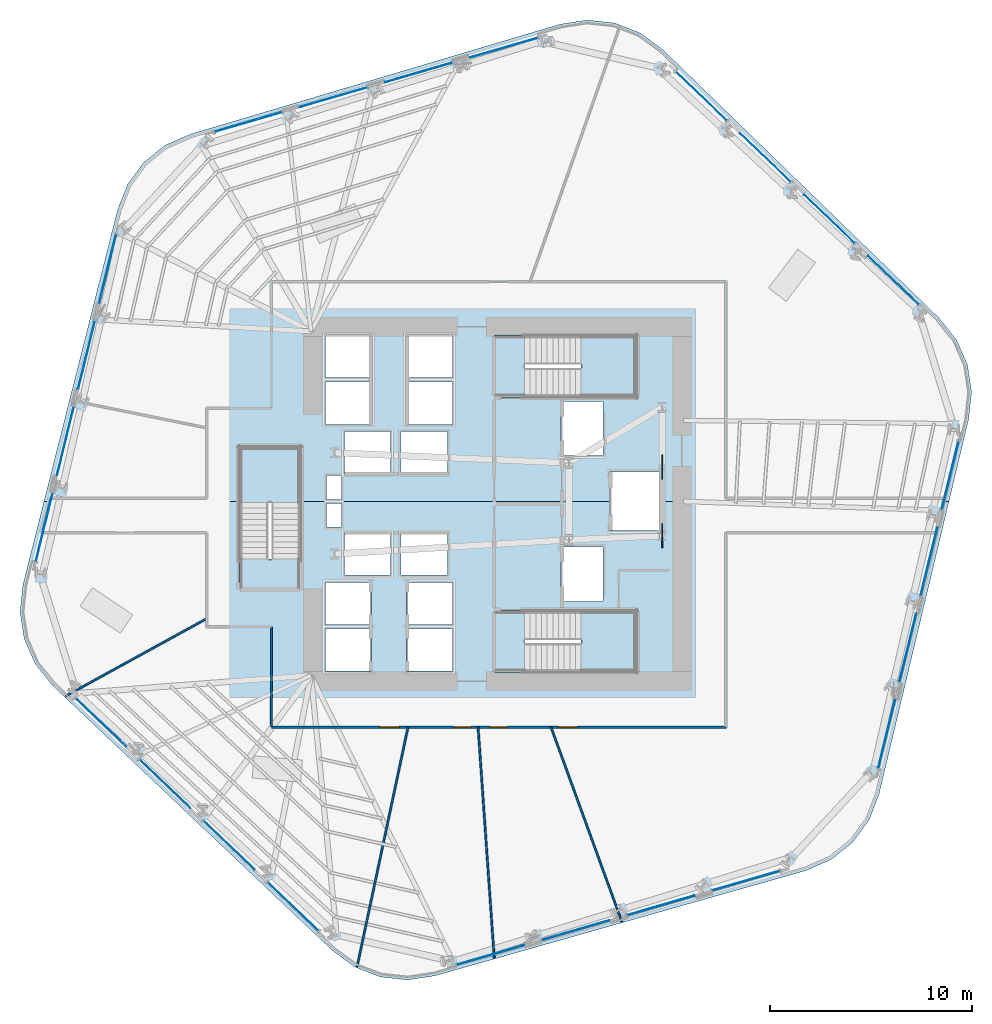
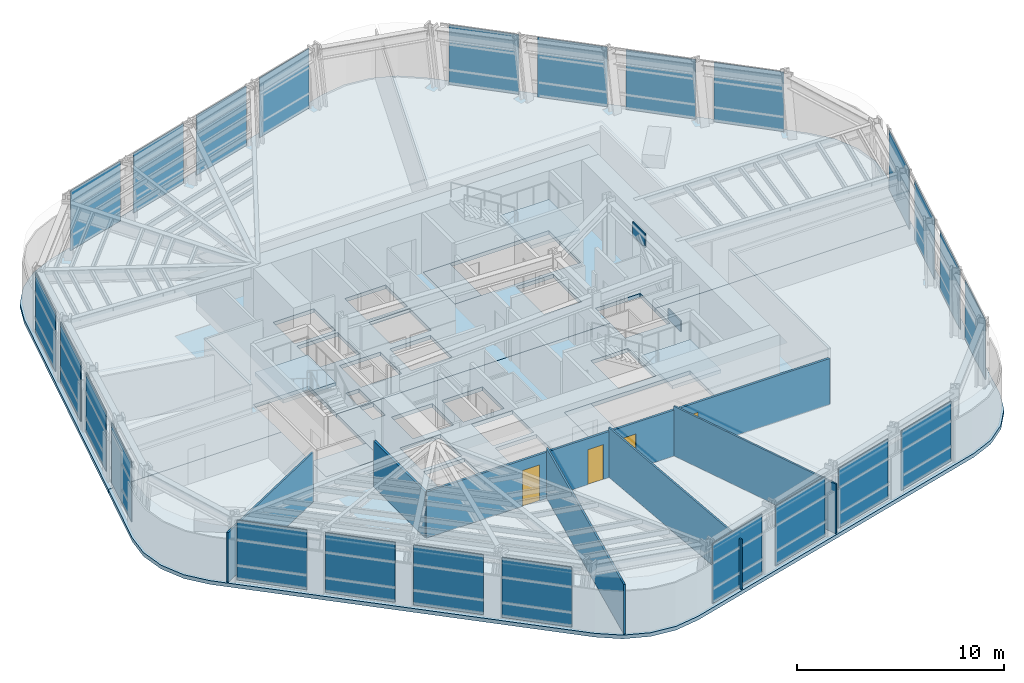
# One storey, part 7 of 15: 26 plates, 8 slabs, 6 walls, 4 doors, 4 openings, 9 elements without a shape of their own.
"""IFC4 building model written with IfcOpenShell, lengths in metres."""

from ifc_helpers import new_model, si_unit, direction, frame, frame_2d, origin, origin_2d, place, context, subcontext, project, spatial, polyline, rectangle, outline, extrude, material, layer, layer_set, type_object, element, fill, aggregate, save


model = new_model("IFC4")

# Units and contexts
model_context = context("Model", 3, precision=1e-05, world=origin(), true_north=direction((0.0, 1.0)))
body_context = subcontext(model_context, "Body", "Model", "MODEL_VIEW")
ifc_project = project(units=[si_unit("LENGTHUNIT", "METRE"), si_unit("AREAUNIT", "SQUARE_METRE"), si_unit("VOLUMEUNIT", "CUBIC_METRE"), si_unit("PLANEANGLEUNIT", "RADIAN"), si_unit("MASSUNIT", "GRAM", prefix="KILO")], contexts=[model_context])

# Site, building, storey
site_placement = place(None, origin())
site = spatial("IfcSite", under=ifc_project, at=site_placement, CompositionType="ELEMENT")
building_placement = place(site_placement, origin())
building = spatial("IfcBuilding", under=site, at=building_placement, Name="Valkerne Bourse Tower", CompositionType="ELEMENT")
storey_placement = place(building_placement, frame((0.0, 0.0, 93.39990234375)))
storey = spatial("IfcBuildingStorey", under=building, at=storey_placement, Name="L23", CompositionType="ELEMENT", Elevation=93.39990234375)

# Curtain wall, plates
ifc_material_1 = material(Name="Aluminium AA 6063-T6", Category="aluminium")
ifc_layer_1 = layer(ifc_material_1, 0.22998046875)
ifc_layer_set_1 = layer_set([ifc_layer_1], Name="Aluminium AA 6063-T6")
curtain_wall_type = type_object("IfcCurtainWallType", Name="CW-02", PredefinedType="NOTDEFINED", material=ifc_layer_set_1)
curtain_wall_1_placement = place(storey_placement, origin())
curtain_wall_1 = element("IfcCurtainWall", 1, at=curtain_wall_1_placement, inside=storey, type_object=curtain_wall_type, Name="L23 Hexagonal Stick Curtain Wall Face 1", PredefinedType="NOTDEFINED")
ifc_material_2 = material(Name="Glass IGU Low-E Double Glazed", Category="glass")
ifc_layer_2 = layer(ifc_material_2, 0.031982421875)
ifc_layer_set_2 = layer_set([ifc_layer_2], Name="Glass IGU Low-E Double Glazed")
plate_type_1 = type_object("IfcPlateType", Name="CW-PNL-IGU-32", PredefinedType="CURTAIN_PANEL", material=ifc_layer_set_2)
plate_1_placement = place(storey_placement, frame((66.376220703125, 37.9150390625, 0.030029296875), z_axis=(0.0, 0.0, 1.0), x_axis=(-0.721758795279, 0.692144667997, 0.0)))
plate_1 = element("IfcPlate", 2, at=plate_1_placement, type_object=plate_type_1, Name="CW-L23-F1 Curtain Panel 00", PredefinedType="CURTAIN_PANEL", context=body_context, shape_type="SweptSolid", body=[
    extrude(rectangle(XDim=3.462890625, YDim=0.031982421875, at=origin_2d()), origin(), (0.0, 0.0, 1.0), 3.52001953125),
])
plate_2_placement = place(storey_placement, frame((63.212890625, 40.948974609375, 0.030029296875), z_axis=(0.0, 0.0, 1.0), x_axis=(-0.721758795279, 0.692144667997, 0.0)))
plate_2 = element("IfcPlate", 3, at=plate_2_placement, type_object=plate_type_1, Name="CW-L23-F1 Curtain Panel 01", PredefinedType="CURTAIN_PANEL", context=body_context, shape_type="SweptSolid", body=[
    extrude(rectangle(XDim=3.462890625, YDim=0.031982421875, at=origin_2d()), origin(), (0.0, 0.0, 1.0), 3.52001953125),
])
plate_3_placement = place(storey_placement, frame((60.04931640625, 43.982421875, 0.030029296875), z_axis=(0.0, 0.0, 1.0), x_axis=(-0.72177019295, 0.69213278247, 0.0)))
plate_3 = element("IfcPlate", 4, at=plate_3_placement, type_object=plate_type_1, Name="CW-L23-F1 Curtain Panel 02", PredefinedType="CURTAIN_PANEL", context=body_context, shape_type="SweptSolid", body=[
    extrude(rectangle(XDim=3.462890625, YDim=0.031982421875, at=origin_2d()), origin(), (0.0, 0.0, 1.0), 3.52001953125),
])
plate_4_placement = place(storey_placement, frame((56.885986328125, 47.01611328125, 0.030029296875), z_axis=(0.0, 0.0, 1.0), x_axis=(-0.721747865057, 0.6921560657, 0.0)))
plate_4 = element("IfcPlate", 5, at=plate_4_placement, type_object=plate_type_1, Name="CW-L23-F1 Curtain Panel 03", PredefinedType="CURTAIN_PANEL", context=body_context, shape_type="SweptSolid", body=[
    extrude(rectangle(XDim=3.462890625, YDim=0.031982421875, at=origin_2d()), origin(), (0.0, 0.0, 1.0), 3.52001953125),
])
aggregate(curtain_wall_1, [plate_1, plate_2, plate_3, plate_4])

curtain_wall_2_placement = place(storey_placement, origin())
curtain_wall_2 = element("IfcCurtainWall", 6, at=curtain_wall_2_placement, inside=storey, type_object=curtain_wall_type, Name="L23 Hexagonal Stick Curtain Wall Face 2", PredefinedType="NOTDEFINED")
plate_5_placement = place(storey_placement, frame((47.13525390625, 49.4111328125, 0.030029296875), z_axis=(0.0, 0.0, 1.0), x_axis=(-0.960293593209, -0.278991424317, 0.0)))
plate_5 = element("IfcPlate", 7, at=plate_5_placement, type_object=plate_type_1, Name="CW-L23-F2 Curtain Panel 00", PredefinedType="CURTAIN_PANEL", context=body_context, shape_type="SweptSolid", body=[
    extrude(rectangle(XDim=3.462890625, YDim=0.031982421875, at=origin_2d()), origin(), (0.0, 0.0, 1.0), 3.52001953125),
])
plate_6_placement = place(storey_placement, frame((42.92626953125, 48.188232421875, 0.030029296875), z_axis=(0.0, 0.0, 1.0), x_axis=(-0.960295369044, -0.278985311785, 0.0)))
plate_6 = element("IfcPlate", 8, at=plate_6_placement, type_object=plate_type_1, Name="CW-L23-F2 Curtain Panel 01", PredefinedType="CURTAIN_PANEL", context=body_context, shape_type="SweptSolid", body=[
    extrude(rectangle(XDim=3.462890625, YDim=0.031982421875, at=origin_2d()), origin(), (0.0, 0.0, 1.0), 3.52001953125),
])
plate_7_placement = place(storey_placement, frame((38.71728515625, 46.965576171875, 0.030029296875), z_axis=(0.0, 0.0, 1.0), x_axis=(-0.960295369044, -0.278985311785, 0.0)))
plate_7 = element("IfcPlate", 9, at=plate_7_placement, type_object=plate_type_1, Name="CW-L23-F2 Curtain Panel 02", PredefinedType="CURTAIN_PANEL", context=body_context, shape_type="SweptSolid", body=[
    extrude(rectangle(XDim=3.462890625, YDim=0.031982421875, at=origin_2d()), origin(), (0.0, 0.0, 1.0), 3.52001953125),
])
plate_8_placement = place(storey_placement, frame((34.50830078125, 45.74267578125, 0.030029296875), z_axis=(0.0, 0.0, 1.0), x_axis=(-0.960293593209, -0.278991424317, 0.0)))
plate_8 = element("IfcPlate", 10, at=plate_8_placement, type_object=plate_type_1, Name="CW-L23-F2 Curtain Panel 03", PredefinedType="CURTAIN_PANEL", context=body_context, shape_type="SweptSolid", body=[
    extrude(rectangle(XDim=3.462890625, YDim=0.031982421875, at=origin_2d()), origin(), (0.0, 0.0, 1.0), 3.52001953125),
])
aggregate(curtain_wall_2, [plate_5, plate_6, plate_7, plate_8])

curtain_wall_3_placement = place(storey_placement, origin())
curtain_wall_3 = element("IfcCurtainWall", 11, at=curtain_wall_3_placement, inside=storey, type_object=curtain_wall_type, Name="L23 Hexagonal Stick Curtain Wall Face 3", PredefinedType="NOTDEFINED")
plate_9_placement = place(storey_placement, frame((27.55908203125, 38.495849609375, 0.030029296875), z_axis=(0.0, 0.0, 1.0), x_axis=(-0.238534172678, -0.971134104264, 0.0)))
plate_9 = element("IfcPlate", 12, at=plate_9_placement, type_object=plate_type_1, Name="CW-L23-F3 Curtain Panel 00", PredefinedType="CURTAIN_PANEL", context=body_context, shape_type="SweptSolid", body=[
    extrude(rectangle(XDim=3.462890625, YDim=0.031982421875, at=origin_2d()), origin(), (0.0, 0.0, 1.0), 3.52001953125),
])
plate_10_placement = place(storey_placement, frame((26.513671875, 34.239501953125, 0.030029296875), z_axis=(0.0, 0.0, 1.0), x_axis=(-0.238534172678, -0.971134104264, 0.0)))
plate_10 = element("IfcPlate", 13, at=plate_10_placement, type_object=plate_type_1, Name="CW-L23-F3 Curtain Panel 01", PredefinedType="CURTAIN_PANEL", context=body_context, shape_type="SweptSolid", body=[
    extrude(rectangle(XDim=3.462890625, YDim=0.031982421875, at=origin_2d()), origin(), (0.0, 0.0, 1.0), 3.52001953125),
])
plate_11_placement = place(storey_placement, frame((25.468017578125, 29.98291015625, 0.030029296875), z_axis=(0.0, 0.0, 1.0), x_axis=(-0.238534172678, -0.971134104264, 0.0)))
plate_11 = element("IfcPlate", 14, at=plate_11_placement, type_object=plate_type_1, Name="CW-L23-F3 Curtain Panel 02", PredefinedType="CURTAIN_PANEL", context=body_context, shape_type="SweptSolid", body=[
    extrude(rectangle(XDim=3.462890625, YDim=0.031982421875, at=origin_2d()), origin(), (0.0, 0.0, 1.0), 3.52001953125),
])
plate_12_placement = place(storey_placement, frame((24.422607421875, 25.7265625, 0.030029296875), z_axis=(0.0, 0.0, 1.0), x_axis=(-0.238539457931, -0.971132806062, 0.0)))
plate_12 = element("IfcPlate", 15, at=plate_12_placement, type_object=plate_type_1, Name="CW-L23-F3 Curtain Panel 03", PredefinedType="CURTAIN_PANEL", context=body_context, shape_type="SweptSolid", body=[
    extrude(rectangle(XDim=3.462890625, YDim=0.031982421875, at=origin_2d()), origin(), (0.0, 0.0, 1.0), 3.52001953125),
])
aggregate(curtain_wall_3, [plate_9, plate_10, plate_11, plate_12])

curtain_wall_4_placement = place(storey_placement, origin())
curtain_wall_4 = element("IfcCurtainWall", 16, at=curtain_wall_4_placement, inside=storey, type_object=curtain_wall_type, Name="L23 Hexagonal Stick Curtain Wall Face 4", PredefinedType="NOTDEFINED")
plate_13_placement = place(storey_placement, frame((27.2236328125, 16.084716796875, 0.030029296875), z_axis=(0.0, 0.0, 1.0), x_axis=(0.721758795279, -0.692144667997, 0.0)))
plate_13 = element("IfcPlate", 17, at=plate_13_placement, type_object=plate_type_1, Name="CW-L23-F4 Curtain Panel 00", PredefinedType="CURTAIN_PANEL", context=body_context, shape_type="SweptSolid", body=[
    extrude(rectangle(XDim=3.462890625, YDim=0.031982421875, at=origin_2d()), origin(), (0.0, 0.0, 1.0), 3.52001953125),
])
plate_14_placement = place(storey_placement, frame((30.38720703125, 13.051025390625, 0.030029296875), z_axis=(0.0, 0.0, 1.0), x_axis=(0.721758795279, -0.692144667997, 0.0)))
plate_14 = element("IfcPlate", 18, at=plate_14_placement, type_object=plate_type_1, Name="CW-L23-F4 Curtain Panel 01", PredefinedType="CURTAIN_PANEL", context=body_context, shape_type="SweptSolid", body=[
    extrude(rectangle(XDim=3.462890625, YDim=0.031982421875, at=origin_2d()), origin(), (0.0, 0.0, 1.0), 3.52001953125),
])
plate_15_placement = place(storey_placement, frame((33.55078125, 10.017578125, 0.030029296875), z_axis=(0.0, 0.0, 1.0), x_axis=(0.72177019295, -0.69213278247, 0.0)))
plate_15 = element("IfcPlate", 19, at=plate_15_placement, type_object=plate_type_1, Name="CW-L23-F4 Curtain Panel 02", PredefinedType="CURTAIN_PANEL", context=body_context, shape_type="SweptSolid", body=[
    extrude(rectangle(XDim=3.462890625, YDim=0.031982421875, at=origin_2d()), origin(), (0.0, 0.0, 1.0), 3.52001953125),
])
plate_16_placement = place(storey_placement, frame((36.714111328125, 6.98388671875, 0.030029296875), z_axis=(0.0, 0.0, 1.0), x_axis=(0.721747865057, -0.6921560657, 0.0)))
plate_16 = element("IfcPlate", 20, at=plate_16_placement, type_object=plate_type_1, Name="CW-L23-F4 Curtain Panel 03", PredefinedType="CURTAIN_PANEL", context=body_context, shape_type="SweptSolid", body=[
    extrude(rectangle(XDim=3.462890625, YDim=0.031982421875, at=origin_2d()), origin(), (0.0, 0.0, 1.0), 3.52001953125),
])
aggregate(curtain_wall_4, [plate_13, plate_14, plate_15, plate_16])

curtain_wall_5_placement = place(storey_placement, origin())
curtain_wall_5 = element("IfcCurtainWall", 21, at=curtain_wall_5_placement, inside=storey, type_object=curtain_wall_type, Name="L23 Hexagonal Stick Curtain Wall Face 5", PredefinedType="NOTDEFINED")
plate_17_placement = place(storey_placement, frame((46.464599609375, 4.5888671875, 0.030029296875), z_axis=(0.0, 0.0, 1.0), x_axis=(0.960293593209, 0.278991424317, 0.0)))
plate_17 = element("IfcPlate", 22, at=plate_17_placement, type_object=plate_type_1, Name="CW-L23-F5 Curtain Panel 00", PredefinedType="CURTAIN_PANEL", context=body_context, shape_type="SweptSolid", body=[
    extrude(rectangle(XDim=3.462890625, YDim=0.031982421875, at=origin_2d()), origin(), (0.0, 0.0, 1.0), 3.52001953125),
])
plate_18_placement = place(storey_placement, frame((50.673583984375, 5.811767578125, 0.030029296875), z_axis=(0.0, 0.0, 1.0), x_axis=(0.960295369044, 0.278985311785, 0.0)))
plate_18 = element("IfcPlate", 23, at=plate_18_placement, type_object=plate_type_1, Name="CW-L23-F5 Curtain Panel 01", PredefinedType="CURTAIN_PANEL", context=body_context, shape_type="SweptSolid", body=[
    extrude(rectangle(XDim=3.462890625, YDim=0.031982421875, at=origin_2d()), origin(), (0.0, 0.0, 1.0), 3.52001953125),
])
plate_19_placement = place(storey_placement, frame((54.882568359375, 7.034423828125, 0.030029296875), z_axis=(0.0, 0.0, 1.0), x_axis=(0.960295369044, 0.278985311785, 0.0)))
plate_19 = element("IfcPlate", 24, at=plate_19_placement, type_object=plate_type_1, Name="CW-L23-F5 Curtain Panel 02", PredefinedType="CURTAIN_PANEL", context=body_context, shape_type="SweptSolid", body=[
    extrude(rectangle(XDim=3.462890625, YDim=0.031982421875, at=origin_2d()), origin(), (0.0, 0.0, 1.0), 3.52001953125),
])
plate_20_placement = place(storey_placement, frame((59.091552734375, 8.25732421875, 0.030029296875), z_axis=(0.0, 0.0, 1.0), x_axis=(0.960293593209, 0.278991424317, 0.0)))
plate_20 = element("IfcPlate", 25, at=plate_20_placement, type_object=plate_type_1, Name="CW-L23-F5 Curtain Panel 03", PredefinedType="CURTAIN_PANEL", context=body_context, shape_type="SweptSolid", body=[
    extrude(rectangle(XDim=3.462890625, YDim=0.031982421875, at=origin_2d()), origin(), (0.0, 0.0, 1.0), 3.52001953125),
])
aggregate(curtain_wall_5, [plate_17, plate_18, plate_19, plate_20])

curtain_wall_6_placement = place(storey_placement, origin())
curtain_wall_6 = element("IfcCurtainWall", 26, at=curtain_wall_6_placement, inside=storey, type_object=curtain_wall_type, Name="L23 Hexagonal Stick Curtain Wall Face 6", PredefinedType="NOTDEFINED")
plate_21_placement = place(storey_placement, frame((66.041015625, 15.50390625, 0.030029296875), z_axis=(0.0, 0.0, 1.0), x_axis=(0.238534172678, 0.971134104264, 0.0)))
plate_21 = element("IfcPlate", 27, at=plate_21_placement, type_object=plate_type_1, Name="CW-L23-F6 Curtain Panel 00", PredefinedType="CURTAIN_PANEL", context=body_context, shape_type="SweptSolid", body=[
    extrude(rectangle(XDim=3.462890625, YDim=0.031982421875, at=origin_2d()), origin(), (0.0, 0.0, 1.0), 3.52001953125),
])
plate_22_placement = place(storey_placement, frame((67.08642578125, 19.760498046875, 0.030029296875), z_axis=(0.0, 0.0, 1.0), x_axis=(0.238534172678, 0.971134104264, 0.0)))
plate_22 = element("IfcPlate", 28, at=plate_22_placement, type_object=plate_type_1, Name="CW-L23-F6 Curtain Panel 01", PredefinedType="CURTAIN_PANEL", context=body_context, shape_type="SweptSolid", body=[
    extrude(rectangle(XDim=3.462890625, YDim=0.031982421875, at=origin_2d()), origin(), (0.0, 0.0, 1.0), 3.52001953125),
])
plate_23_placement = place(storey_placement, frame((68.132080078125, 24.01708984375, 0.030029296875), z_axis=(0.0, 0.0, 1.0), x_axis=(0.238534172678, 0.971134104264, 0.0)))
plate_23 = element("IfcPlate", 29, at=plate_23_placement, type_object=plate_type_1, Name="CW-L23-F6 Curtain Panel 02", PredefinedType="CURTAIN_PANEL", context=body_context, shape_type="SweptSolid", body=[
    extrude(rectangle(XDim=3.462890625, YDim=0.031982421875, at=origin_2d()), origin(), (0.0, 0.0, 1.0), 3.52001953125),
])
plate_24_placement = place(storey_placement, frame((69.177490234375, 28.2734375, 0.030029296875), z_axis=(0.0, 0.0, 1.0), x_axis=(0.238539457931, 0.971132806062, 0.0)))
plate_24 = element("IfcPlate", 30, at=plate_24_placement, type_object=plate_type_1, Name="CW-L23-F6 Curtain Panel 03", PredefinedType="CURTAIN_PANEL", context=body_context, shape_type="SweptSolid", body=[
    extrude(rectangle(XDim=3.462890625, YDim=0.031982421875, at=origin_2d()), origin(), (0.0, 0.0, 1.0), 3.52001953125),
])
aggregate(curtain_wall_6, [plate_21, plate_22, plate_23, plate_24])

# Plates
ifc_material_3 = material(Name="Steel ASTM A572 Grade 50", Category="steel")
ifc_layer_3 = layer(ifc_material_3, 0.06005859375)
ifc_layer_set_3 = layer_set([ifc_layer_3], Name="Steel ASTM A572 Grade 50")
plate_type_2 = type_object("IfcPlateType", Name="PLT-GUS-60", PredefinedType="SHEET", material=ifc_layer_set_3)
for number, where, z_axis, x_axis, name in (
    (31, (54.949951171875, 25.300048828125, -0.1796875), (0.0, 0.0, 1.0), (0.0, 1.0, 0.0), "L23 Brace Node Gusset Plate PLT-GUS-END-L23-362"),
    (32, (54.949951171875, 28.699951171875, 2.8740234375), (0.0, 0.0, 1.0), (0.0, 1.0, 0.0), "L23 Brace Node Gusset Plate PLT-GUS-END-L23-363"),
):
    element("IfcPlate", number, at=place(storey_placement, frame(where, z_axis=z_axis, x_axis=x_axis)), inside=storey, type_object=plate_type_2, Name=name, PredefinedType="SHEET", context=body_context, shape_type="SweptSolid", body=[
        extrude(rectangle(XDim=1.199951171875, YDim=0.06005859375, at=origin_2d()), origin(), (0.0, 0.0, 1.0), 0.800048828125),
    ])

# Slabs
ifc_material_4 = material(Name="Concrete C40/50", Category="concrete")
ifc_layer_4 = layer(ifc_material_4, 0.25)
ifc_layer_set_4 = layer_set([ifc_layer_4], Name="Concrete C40/50")
slab_type_1 = type_object("IfcSlabType", Name="SLB-RMP-LND-250", PredefinedType="LANDING", material=ifc_layer_set_4)
slab_1_placement = place(storey_placement, frame((0.0, 0.0, -0.219970703125)))
element("IfcSlab", 33, at=slab_1_placement, inside=storey, type_object=slab_type_1, Name="L23 ST-1 Floor Landing Slab", PredefinedType="LANDING", context=body_context, shape_type="SweptSolid", body=[
    extrude(outline(polyline([(46.669921875, 18.5400390625), (48.14990234375, 18.5400390625), (48.14990234375, 21.610107421875), (46.669921875, 21.610107421875), (46.669921875, 18.5400390625)])), origin(), (0.0, 0.0, 1.0), 0.219970703125),
])
slab_2_placement = place(storey_placement, frame((0.0, 0.0, -0.219970703125)))
element("IfcSlab", 34, at=slab_2_placement, inside=storey, type_object=slab_type_1, Name="L23 ST-2 Floor Landing Slab", PredefinedType="LANDING", context=body_context, shape_type="SweptSolid", body=[
    extrude(outline(polyline([(46.669921875, 32.139892578125), (48.14990234375, 32.139892578125), (48.14990234375, 35.2099609375), (46.669921875, 35.2099609375), (46.669921875, 32.139892578125)])), origin(), (0.0, 0.0, 1.0), 0.219970703125),
])
slab_3_placement = place(storey_placement, frame((0.0, 0.0, -0.219970703125)))
element("IfcSlab", 35, at=slab_3_placement, inside=storey, type_object=slab_type_1, Name="L23 ST-3 Floor Landing Slab", PredefinedType="LANDING", context=body_context, shape_type="SweptSolid", body=[
    extrude(outline(polyline([(37.110107421875, 22.669921875), (37.110107421875, 24.14990234375), (34.0400390625, 24.14990234375), (34.0400390625, 22.669921875), (37.110107421875, 22.669921875)])), origin(), (0.0, 0.0, 1.0), 0.219970703125),
])

# Stair, slab
stair_type = type_object("IfcStairType", Name="ST-CORE-1400", PredefinedType="HALF_TURN_STAIR", material=ifc_material_4)
stair_1_placement = place(storey_placement, origin())
stair_1 = element("IfcStair", 36, at=stair_1_placement, inside=storey, type_object=stair_type, Name="L23 ST-1", PredefinedType="HALF_TURN_STAIR")
ifc_layer_5 = layer(ifc_material_4, 0.179931640625)
ifc_layer_set_5 = layer_set([ifc_layer_5], Name="Concrete C40/50")
slab_type_2 = type_object("IfcSlabType", Name="SLB-ST-LND-180", PredefinedType="LANDING", material=ifc_layer_set_5)
slab_4_placement = place(storey_placement, frame((0.0, 0.0, 1.7001953125)))
slab_4 = element("IfcSlab", 37, at=slab_4_placement, type_object=slab_type_2, Name="ST-1 landing 1", PredefinedType="LANDING", context=body_context, shape_type="SweptSolid", body=[
    extrude(outline(polyline([(50.949951171875, 18.60009765625), (53.64990234375, 18.60009765625), (53.64990234375, 21.550048828125), (50.949951171875, 21.550048828125), (50.949951171875, 18.60009765625)])), origin(), (0.0, 0.0, 1.0), 0.199951171875),
])
aggregate(stair_1, [slab_4])

stair_2_placement = place(storey_placement, origin())
stair_2 = element("IfcStair", 38, at=stair_2_placement, inside=storey, type_object=stair_type, Name="L23 ST-2", PredefinedType="HALF_TURN_STAIR")
slab_5_placement = place(storey_placement, frame((0.0, 0.0, 1.7001953125)))
slab_5 = element("IfcSlab", 39, at=slab_5_placement, type_object=slab_type_2, Name="ST-2 landing 1", PredefinedType="LANDING", context=body_context, shape_type="SweptSolid", body=[
    extrude(outline(polyline([(50.949951171875, 32.199951171875), (53.64990234375, 32.199951171875), (53.64990234375, 35.14990234375), (50.949951171875, 35.14990234375), (50.949951171875, 32.199951171875)])), origin(), (0.0, 0.0, 1.0), 0.199951171875),
])
aggregate(stair_2, [slab_5])

stair_3_placement = place(storey_placement, origin())
stair_3 = element("IfcStair", 40, at=stair_3_placement, inside=storey, type_object=stair_type, Name="L23 ST-3", PredefinedType="HALF_TURN_STAIR")
slab_6_placement = place(storey_placement, frame((0.0, 0.0, 1.7001953125)))
slab_6 = element("IfcSlab", 41, at=slab_6_placement, type_object=slab_type_2, Name="ST-3 landing 1", PredefinedType="LANDING", context=body_context, shape_type="SweptSolid", body=[
    extrude(outline(polyline([(37.050048828125, 26.949951171875), (37.050048828125, 29.64990234375), (34.10009765625, 29.64990234375), (34.10009765625, 26.949951171875), (37.050048828125, 26.949951171875)])), origin(), (0.0, 0.0, 1.0), 0.199951171875),
])
aggregate(stair_3, [slab_6])

# Slabs
ifc_layer_6 = layer(ifc_material_4, 0.219970703125)
ifc_layer_set_6 = layer_set([ifc_layer_6], Name="Concrete C40/50")
slab_type_3 = type_object("IfcSlabType", Name="SLB-TOW-220", PredefinedType="FLOOR", material=ifc_layer_set_6)
slab_7_placement = place(storey_placement, frame((0.0, 0.0, -0.219970703125)))
element("IfcSlab", 42, at=slab_7_placement, inside=storey, type_object=slab_type_3, Name="L23 Hexagonal Composite Floor Slab S", PredefinedType="FLOOR", context=body_context, shape_type="SweptSolid", body=[
    extrude(outline(polyline([(65.168212890625, 11.250244140625), (64.364501953125, 10.15625), (63.304931640625, 9.3076171875), (62.06201171875, 8.761962890625), (43.7197265625, 3.55908203125), (42.377685546875, 3.35400390625), (41.028564453125, 3.5029296875), (39.763916015625, 3.99609375), (38.669921875, 4.799560546875), (24.8251953125, 17.908203125), (23.976318359375, 18.967529296875), (23.4306640625, 20.210693359375), (23.225341796875, 21.552490234375), (23.374267578125, 22.901611328125), (24.40869140625, 27.0), (34.034912109375, 27.0), (34.034912109375, 22.6650390625), (37.114990234375, 22.6650390625), (37.114990234375, 27.0), (52.360107421875, 27.0), (52.360107421875, 25.56005859375), (54.840087890625, 25.56005859375), (54.840087890625, 27.0), (69.12158203125, 27.0), (65.6611328125, 12.51513671875), (65.168212890625, 11.250244140625)]), holes=[polyline([(40.590087890625, 20.68994140625), (38.31005859375, 20.68994140625), (38.31005859375, 18.610107421875), (40.590087890625, 18.610107421875), (40.590087890625, 20.68994140625)]), polyline([(40.590087890625, 22.989990234375), (38.31005859375, 22.989990234375), (38.31005859375, 20.909912109375), (40.590087890625, 20.909912109375), (40.590087890625, 22.989990234375)]), polyline([(41.5400390625, 25.43994140625), (39.260009765625, 25.43994140625), (39.260009765625, 23.360107421875), (41.5400390625, 23.360107421875), (41.5400390625, 25.43994140625)]), polyline([(39.10009765625, 25.72998046875), (39.10009765625, 26.89990234375), (38.3798828125, 26.89990234375), (38.3798828125, 25.72998046875), (39.10009765625, 25.72998046875)]), polyline([(44.590087890625, 20.68994140625), (42.31005859375, 20.68994140625), (42.31005859375, 18.610107421875), (44.590087890625, 18.610107421875), (44.590087890625, 20.68994140625)]), polyline([(53.675048828125, 21.614990234375), (46.6650390625, 21.614990234375), (46.6650390625, 18.534912109375), (53.675048828125, 18.534912109375), (53.675048828125, 21.614990234375)]), polyline([(44.590087890625, 22.989990234375), (42.31005859375, 22.989990234375), (42.31005859375, 20.909912109375), (44.590087890625, 20.909912109375), (44.590087890625, 22.989990234375)]), polyline([(52.0400390625, 22.06005859375), (52.0400390625, 24.739990234375), (49.9599609375, 24.739990234375), (49.9599609375, 22.06005859375), (52.0400390625, 22.06005859375)]), polyline([(44.340087890625, 23.360107421875), (44.340087890625, 25.43994140625), (42.06005859375, 25.43994140625), (42.06005859375, 23.360107421875), (44.340087890625, 23.360107421875)])]), origin(), (0.0, 0.0, 1.0), 0.219970703125),
])
slab_8_placement = place(storey_placement, frame((0.0, 0.0, -0.219970703125)))
element("IfcSlab", 43, at=slab_8_placement, inside=storey, type_object=slab_type_3, Name="L23 Hexagonal Composite Floor Slab N", PredefinedType="FLOOR", context=body_context, shape_type="SweptSolid", body=[
    extrude(outline(polyline([(28.039794921875, 41.387939453125), (28.532958984375, 42.65283203125), (29.336669921875, 43.746826171875), (30.39599609375, 44.595458984375), (31.638916015625, 45.14111328125), (49.913818359375, 50.57666015625), (51.255615234375, 50.781982421875), (52.604736328125, 50.633056640625), (53.86962890625, 50.139892578125), (54.963623046875, 49.336181640625), (68.640380859375, 36.052734375), (69.4892578125, 34.993408203125), (70.034912109375, 33.750244140625), (70.240234375, 32.408447265625), (70.09130859375, 31.05908203125), (69.12158203125, 27.0), (54.840087890625, 27.0), (54.840087890625, 28.43994140625), (52.360107421875, 28.43994140625), (52.360107421875, 27.0), (37.114990234375, 27.0), (37.114990234375, 29.675048828125), (34.034912109375, 29.675048828125), (34.034912109375, 27.0), (24.40869140625, 27.0), (28.039794921875, 41.387939453125)]), holes=[polyline([(39.10009765625, 28.27001953125), (38.3798828125, 28.27001953125), (38.3798828125, 27.10009765625), (39.10009765625, 27.10009765625), (39.10009765625, 28.27001953125)]), polyline([(41.5400390625, 30.43994140625), (39.260009765625, 30.43994140625), (39.260009765625, 28.360107421875), (41.5400390625, 28.360107421875), (41.5400390625, 30.43994140625)]), polyline([(44.340087890625, 30.43994140625), (42.06005859375, 30.43994140625), (42.06005859375, 28.360107421875), (44.340087890625, 28.360107421875), (44.340087890625, 30.43994140625)]), polyline([(40.590087890625, 30.81005859375), (40.590087890625, 32.889892578125), (38.31005859375, 32.889892578125), (38.31005859375, 30.81005859375), (40.590087890625, 30.81005859375)]), polyline([(40.590087890625, 33.110107421875), (40.590087890625, 35.18994140625), (38.31005859375, 35.18994140625), (38.31005859375, 33.110107421875), (40.590087890625, 33.110107421875)]), polyline([(52.0400390625, 31.93994140625), (49.9599609375, 31.93994140625), (49.9599609375, 29.260009765625), (52.0400390625, 29.260009765625), (52.0400390625, 31.93994140625)]), polyline([(44.590087890625, 32.889892578125), (42.31005859375, 32.889892578125), (42.31005859375, 30.81005859375), (44.590087890625, 30.81005859375), (44.590087890625, 32.889892578125)]), polyline([(53.675048828125, 32.135009765625), (53.675048828125, 35.215087890625), (46.6650390625, 35.215087890625), (46.6650390625, 32.135009765625), (53.675048828125, 32.135009765625)]), polyline([(44.590087890625, 33.110107421875), (44.590087890625, 35.18994140625), (42.31005859375, 35.18994140625), (42.31005859375, 33.110107421875), (44.590087890625, 33.110107421875)])]), origin(), (0.0, 0.0, 1.0), 0.219970703125),
])

# Wall, openings, doors
ifc_material_5 = material(Name="Gypsum Board Steel-Stud Partition", Category="steel")
ifc_layer_7 = layer(ifc_material_5, 0.117919921875)
ifc_layer_set_7 = layer_set([ifc_layer_7], Name="Gypsum Board Steel-Stud Partition")
wall_type_1 = type_object("IfcWallType", Name="W-CORR-140", PredefinedType="PARTITIONING", material=ifc_layer_set_7)
wall_1_placement = place(storey_placement, frame((58.10009765625, 15.85009765625, 0.0), z_axis=(0.0, 0.0, 1.0), x_axis=(-1.0, 0.0, 0.0)))
wall_1 = element("IfcWall", 44, at=wall_1_placement, inside=storey, type_object=wall_type_1, Name="L23 Corridor Enclosure Wall", PredefinedType="PARTITIONING", context=body_context, shape_type="SweptSolid", body=[
    extrude(rectangle(XDim=22.4501953125, YDim=0.117919921875, at=frame_2d((11.22509765625, 0.0))), origin(), (0.0, 0.0, 1.0), 2.711669921875),
])
opening_1_placement = place(wall_1_placement, frame((10.794921875, 0.0, 0.0)))
opening_1 = element("IfcOpeningElement", 45, at=opening_1_placement, cuts=wall_1, Name="Opening D-WC-900", PredefinedType="OPENING", context=body_context, shape_type="SweptSolid", body=[
    extrude(rectangle(XDim=0.860107421875, YDim=2.050048828125, at=frame_2d((0.43017578125, 1.02490234375))), frame((0.0, 0.06884765625, 0.0), z_axis=(0.0, -1.0, 0.0), x_axis=(1.0, 0.0, 0.0)), (0.0, 0.0, 1.0), 0.137939453125),
])
opening_2_placement = place(wall_1_placement, frame((12.594970703125, 0.0, 0.0)))
opening_2 = element("IfcOpeningElement", 46, at=opening_2_placement, cuts=wall_1, Name="Opening D-WC-900", PredefinedType="OPENING", context=body_context, shape_type="SweptSolid", body=[
    extrude(rectangle(XDim=0.860107421875, YDim=2.050048828125, at=frame_2d((0.43017578125, 1.02490234375))), frame((0.0, 0.06884765625, 0.0), z_axis=(0.0, -1.0, 0.0), x_axis=(1.0, 0.0, 0.0)), (0.0, 0.0, 1.0), 0.137939453125),
])
opening_3_placement = place(wall_1_placement, frame((16.14990234375, 0.0, 0.0)))
opening_3 = element("IfcOpeningElement", 47, at=opening_3_placement, cuts=wall_1, Name="Opening D-OF-950", PredefinedType="OPENING", context=body_context, shape_type="SweptSolid", body=[
    extrude(rectangle(XDim=0.949951171875, YDim=2.10009765625, at=frame_2d((0.47509765625, 1.050048828125))), frame((0.0, 0.06884765625, 0.0), z_axis=(0.0, -1.0, 0.0), x_axis=(1.0, 0.0, 0.0)), (0.0, 0.0, 1.0), 0.137939453125),
])
opening_4_placement = place(wall_1_placement, frame((7.330078125, 0.0, 0.0)))
opening_4 = element("IfcOpeningElement", 48, at=opening_4_placement, cuts=wall_1, Name="Opening D-OF-950", PredefinedType="OPENING", context=body_context, shape_type="SweptSolid", body=[
    extrude(rectangle(XDim=0.949951171875, YDim=2.10009765625, at=frame_2d((0.47509765625, 1.050048828125))), frame((0.0, 0.06884765625, 0.0), z_axis=(0.0, -1.0, 0.0), x_axis=(1.0, 0.0, 0.0)), (0.0, 0.0, 1.0), 0.137939453125),
])
ifc_material_6 = material(Name="Architectural White Oak Timber", Category="wood")
door_type_1 = type_object("IfcDoorType", Name="DR-OFF-950", OperationType="NOTDEFINED", PredefinedType="DOOR", material=ifc_material_6)
door_1_placement = place(opening_3_placement, origin())
door_1 = element("IfcDoor", 49, at=door_1_placement, inside=storey, type_object=door_type_1, Name="L23 L23 Exchange Security Control Room 4 Door", OperationType="SINGLE_SWING_RIGHT", OverallHeight=2.10009765625, OverallWidth=0.949951171875, PredefinedType="DOOR", context=body_context, shape_type="SweptSolid", body=[
    extrude(rectangle(XDim=0.949951171875, YDim=2.10009765625, at=frame_2d((0.47509765625, 1.050048828125))), frame((0.0, 0.02490234375, 0.0), z_axis=(0.0, -1.0, 0.0), x_axis=(1.0, 0.0, 0.0)), (0.0, 0.0, 1.0), 0.050048828125),
])
fill(opening_3, door_1)
door_2_placement = place(opening_4_placement, origin())
door_2 = element("IfcDoor", 50, at=door_2_placement, inside=storey, type_object=door_type_1, Name="L23 L23 Commodities Market Showroom 6 Door", OperationType="SINGLE_SWING_RIGHT", OverallHeight=2.10009765625, OverallWidth=0.949951171875, PredefinedType="DOOR", context=body_context, shape_type="SweptSolid", body=[
    extrude(rectangle(XDim=0.949951171875, YDim=2.10009765625, at=frame_2d((0.47509765625, 1.050048828125))), frame((0.0, 0.02490234375, 0.0), z_axis=(0.0, -1.0, 0.0), x_axis=(1.0, 0.0, 0.0)), (0.0, 0.0, 1.0), 0.050048828125),
])
fill(opening_4, door_2)
door_type_2 = type_object("IfcDoorType", Name="DR-WC-900", OperationType="NOTDEFINED", PredefinedType="DOOR", material=ifc_material_6)
door_3_placement = place(opening_1_placement, origin())
door_3 = element("IfcDoor", 51, at=door_3_placement, inside=storey, type_object=door_type_2, Name="L23 L23 Men Bathroom WC 1 Door", OperationType="SINGLE_SWING_LEFT", OverallHeight=2.050048828125, OverallWidth=0.860107421875, PredefinedType="DOOR", context=body_context, shape_type="SweptSolid", body=[
    extrude(rectangle(XDim=0.860107421875, YDim=2.050048828125, at=frame_2d((0.43017578125, 1.02490234375))), frame((0.0, 0.02490234375, 0.0), z_axis=(0.0, -1.0, 0.0), x_axis=(1.0, 0.0, 0.0)), (0.0, 0.0, 1.0), 0.050048828125),
])
fill(opening_1, door_3)
door_4_placement = place(opening_2_placement, origin())
door_4 = element("IfcDoor", 52, at=door_4_placement, inside=storey, type_object=door_type_2, Name="L23 L23 Women Restroom & Shower WC 2 Door", OperationType="SINGLE_SWING_LEFT", OverallHeight=2.050048828125, OverallWidth=0.860107421875, PredefinedType="DOOR", context=body_context, shape_type="SweptSolid", body=[
    extrude(rectangle(XDim=0.860107421875, YDim=2.050048828125, at=frame_2d((0.43017578125, 1.02490234375))), frame((0.0, 0.02490234375, 0.0), z_axis=(0.0, -1.0, 0.0), x_axis=(1.0, 0.0, 0.0)), (0.0, 0.0, 1.0), 0.050048828125),
])
fill(opening_2, door_4)

# Walls
wall_2_placement = place(storey_placement, frame((35.64990234375, 15.85009765625, 0.0), z_axis=(0.0, 0.0, 1.0), x_axis=(0.0, 1.0, 0.0)))
element("IfcWall", 53, at=wall_2_placement, inside=storey, type_object=wall_type_1, Name="L23 Corridor Enclosure Wall", PredefinedType="PARTITIONING", context=body_context, shape_type="SweptSolid", body=[
    extrude(rectangle(XDim=4.949951171875, YDim=0.117919921875, at=frame_2d((2.47509765625, 0.0))), origin(), (0.0, 0.0, 1.0), 2.711669921875),
])
ifc_layer_8 = layer(ifc_material_5, 0.092041015625)
ifc_layer_set_8 = layer_set([ifc_layer_8], Name="Gypsum Board Steel-Stud Partition")
wall_type_2 = type_object("IfcWallType", Name="W-PART-115", PredefinedType="PARTITIONING", material=ifc_layer_set_8)
wall_3_placement = place(storey_placement, frame((42.39501953125, 15.844970703125, 0.0), z_axis=(0.0, 0.0, 1.0), x_axis=(-0.207893792366, -0.978151404996, 0.0)))
element("IfcWall", 54, at=wall_3_placement, inside=storey, type_object=wall_type_2, Name="L23 Suite Partition P01", PredefinedType="PARTITIONING", context=body_context, shape_type="SweptSolid", body=[
    extrude(rectangle(XDim=12.083984375, YDim=0.092041015625, at=frame_2d((6.0419921875, 0.0))), origin(), (0.0, 0.0, 1.0), 2.922607421875),
])
wall_4_placement = place(storey_placement, frame((45.85693359375, 15.844970703125, 0.0), z_axis=(0.0, 0.0, 1.0), x_axis=(0.06976119714, -0.997563719957, 0.0)))
element("IfcWall", 55, at=wall_4_placement, inside=storey, type_object=wall_type_2, Name="L23 Suite Partition P02", PredefinedType="PARTITIONING", context=body_context, shape_type="SweptSolid", body=[
    extrude(rectangle(XDim=11.408935546875, YDim=0.092041015625, at=frame_2d((5.70458984375, 0.0))), origin(), (0.0, 0.0, 1.0), 2.922607421875),
])
wall_5_placement = place(storey_placement, frame((49.46044921875, 15.844970703125, 0.0), z_axis=(0.0, 0.0, 1.0), x_axis=(0.342013761011, -0.939694943734, 0.0)))
element("IfcWall", 56, at=wall_5_placement, inside=storey, type_object=wall_type_2, Name="L23 Suite Partition P03", PredefinedType="PARTITIONING", context=body_context, shape_type="SweptSolid", body=[
    extrude(rectangle(XDim=10.2099609375, YDim=0.092041015625, at=frame_2d((5.10498046875, 0.0))), origin(), (0.0, 0.0, 1.0), 2.922607421875),
])
wall_6_placement = place(storey_placement, frame((32.445068359375, 21.205078125, 0.0), z_axis=(0.0, 0.0, 1.0), x_axis=(-0.876511673414, -0.481380604479, 0.0)))
element("IfcWall", 57, at=wall_6_placement, inside=storey, type_object=wall_type_2, Name="L23 Suite Partition P06", PredefinedType="PARTITIONING", context=body_context, shape_type="SweptSolid", body=[
    extrude(rectangle(XDim=7.94287109375, YDim=0.092041015625, at=frame_2d((3.971435546875, 0.0))), origin(), (0.0, 0.0, 1.0), 2.922607421875),
])

save(model, "model.ifc")
